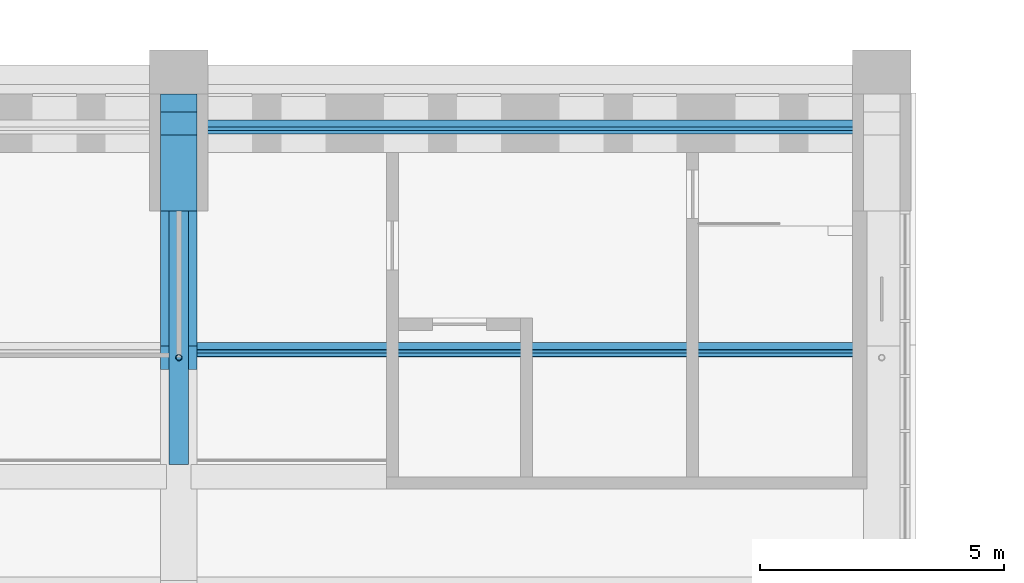
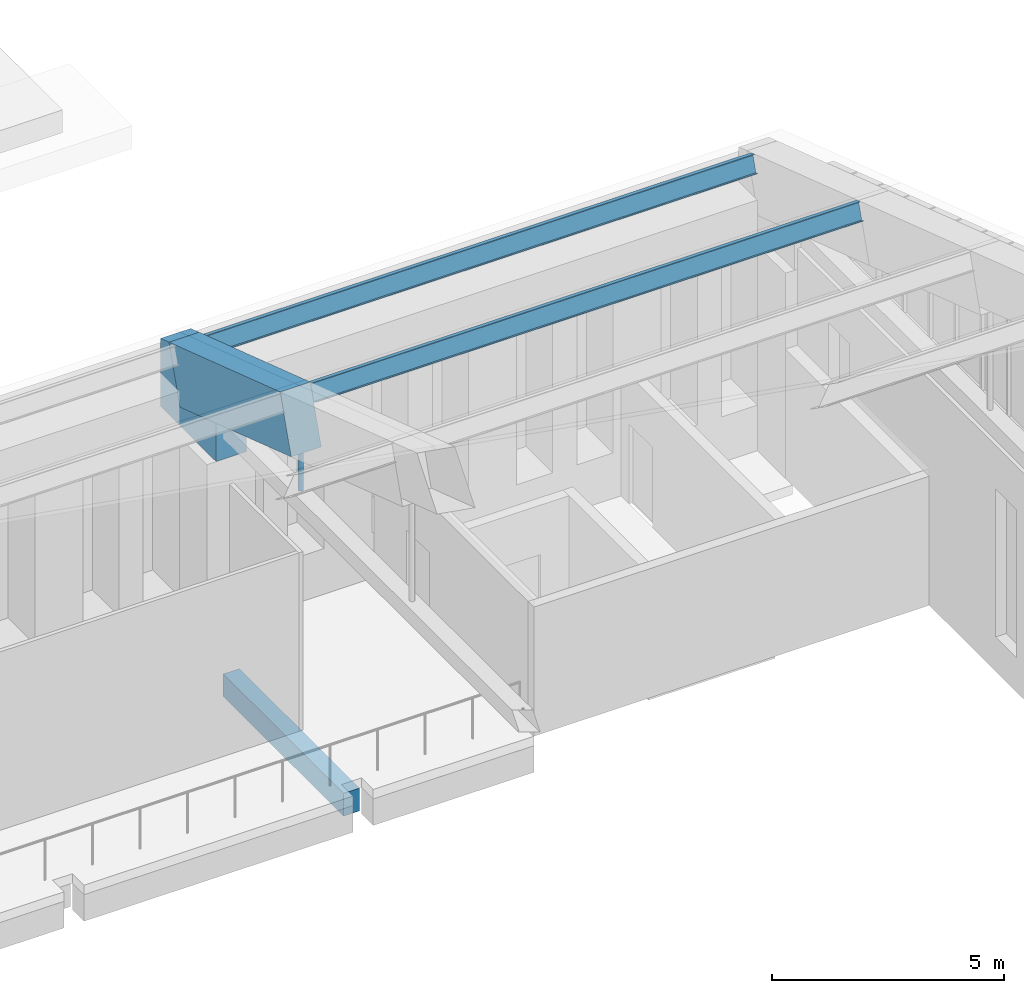
# One storey, part 89 of 149: 4 members, 2 beams.
"""IFC4 building model written with IfcOpenShell, lengths in metres."""

from ifc_helpers import new_model, si_unit, direction, frame, origin, origin_2d, place, context, subcontext, project, spatial, polyline, rectangle, hollow_circle, i_section, outline, extrude, material, material_profile, profile_set, type_object, element, save


model = new_model("IFC4")

# Units and contexts
model_context = context("Model", 3, precision=1e-05, world=origin(), true_north=direction((0.0, 1.0)))
body_context = subcontext(model_context, "Body", "Model", "MODEL_VIEW")
ifc_project = project(units=[si_unit("LENGTHUNIT", "METRE"), si_unit("AREAUNIT", "SQUARE_METRE"), si_unit("VOLUMEUNIT", "CUBIC_METRE"), si_unit("PLANEANGLEUNIT", "RADIAN"), si_unit("MASSUNIT", "GRAM", prefix="KILO")], contexts=[model_context])

# Site, building, storey
site_placement = place(None, origin())
site = spatial("IfcSite", under=ifc_project, at=site_placement, CompositionType="ELEMENT")
building_placement = place(site_placement, origin())
building = spatial("IfcBuilding", under=site, at=building_placement, Name="Alderwick Market Hall", CompositionType="ELEMENT")
storey_placement = place(building_placement, frame((0.0, 0.0, 9.60009765625)))
storey = spatial("IfcBuildingStorey", under=building, at=storey_placement, Name="L01", CompositionType="ELEMENT", Elevation=9.60009765625)

# Beams
ifc_material_1 = material(Name="Concrete 5000 psi (f'c 35 MPa)", Category="concrete")
ifc_material_profile_1 = material_profile(ifc_material_1, rectangle(XDim=0.39990234375, YDim=0.60009765625, at=origin_2d()), Name="RC 400x600")
ifc_profile_set_1 = profile_set([ifc_material_profile_1], Name="Concrete 5000 psi (f'c 35 MPa)")
beam_type_1 = type_object("IfcBeamType", Name="H Gallery beam 400x600", PredefinedType="BEAM", material=ifc_profile_set_1)
beam_1_placement = place(storey_placement, frame((136.800048828125, 106.199951171875, -0.550048828125), z_axis=(0.0, -1.0, 0.0), x_axis=(1.0, 0.0, 0.0)))
element("IfcBeam", 1, at=beam_1_placement, inside=storey, type_object=beam_type_1, Name="Gallery beam N", PredefinedType="BEAM", context=body_context, shape_type="SweptSolid", body=[
    extrude(rectangle(XDim=0.39990234375, YDim=0.60009765625, at=origin_2d()), origin(), (0.0, 0.0, 1.0), 5.18994140625),
])
ifc_material_profile_2 = material_profile(ifc_material_1, rectangle(XDim=0.75, YDim=1.5, at=origin_2d()), Name="RC 750x1500")
ifc_profile_set_2 = profile_set([ifc_material_profile_2], Name="Concrete 5000 psi (f'c 35 MPa)")
beam_type_2 = type_object("IfcBeamType", Name="R Arch Rib Springing 750x1500", PredefinedType="BEAM", material=ifc_profile_set_2)
beam_2_placement = place(storey_placement, frame((136.800048828125, 103.199951171875, 8.199951171875), z_axis=(0.0, 0.948678472761, -0.316242241517), x_axis=(-1.0, 0.0, 0.0)))
element("IfcBeam", 2, at=beam_2_placement, inside=storey, type_object=beam_type_2, Name="Arch rib 7 chord 12", PredefinedType="BEAM", context=body_context, shape_type="SweptSolid", body=[
    extrude(rectangle(XDim=0.75, YDim=1.5, at=origin_2d()), origin(), (0.0, 0.0, 1.0), 5.059814453125),
])

# Members
ifc_material_2 = material(Name="Steel ASTM A500 Grade C", Category="steel")
ifc_material_profile_3 = material_profile(ifc_material_2, hollow_circle(Radius=0.0634765625, WallThickness=0.005859375, at=origin_2d()), Name="HSS5.000x0.250")
ifc_profile_set_3 = profile_set([ifc_material_profile_3], Name="Steel ASTM A500 Grade C")
member_type_1 = type_object("IfcMemberType", Name="R Hanger HSS5.000x0.250", PredefinedType="POST", material=ifc_profile_set_3)
member_1_placement = place(storey_placement, frame((136.800048828125, 103.199951171875, 6.35302734375), z_axis=(0.0, 0.0, 1.0), x_axis=(1.0, 0.0, 0.0)))
element("IfcMember", 3, at=member_1_placement, inside=storey, type_object=member_type_1, Name="Arch hanger 7.11", PredefinedType="POST", context=body_context, shape_type="SweptSolid", body=[
    extrude(hollow_circle(Radius=0.0634765625, WallThickness=0.005859375, at=origin_2d()), origin(), (0.0, 0.0, 1.0), 1.03515625),
])
ifc_material_3 = material(Name="Steel ASTM A992 Grade 50", Category="steel")
ifc_material_profile_4 = material_profile(ifc_material_3, i_section(OverallWidth=0.153076171875, OverallDepth=0.455078125, WebThickness=0.008056640625, FlangeThickness=0.01318359375, at=origin_2d()), Name="W18x40")
ifc_profile_set_4 = profile_set([ifc_material_profile_4], Name="Steel ASTM A992 Grade 50")
member_type_2 = type_object("IfcMemberType", Name="R Purlin W18x40", PredefinedType="PURLIN", material=ifc_profile_set_4)
for number, where, z_axis, x_axis, name in (
    (4, (137.175048828125, 103.36328125, 8.68994140625), (1.0, 0.0, 0.0), (0.0, 0.948683297073, -0.316227768949), "Roof purlin 12.7"),
    (5, (137.175048828125, 107.92626953125, 7.1689453125), (1.0, 0.0, 0.0), (0.0, 0.948683297073, -0.316227768949), "Roof purlin 13.7"),
):
    element("IfcMember", number, at=place(storey_placement, frame(where, z_axis=z_axis, x_axis=x_axis)), inside=storey, type_object=member_type_2, Name=name, PredefinedType="PURLIN", context=body_context, shape_type="SweptSolid", body=[
        extrude(i_section(OverallWidth=0.153076171875, OverallDepth=0.455078125, WebThickness=0.008056640625, FlangeThickness=0.01318359375, at=origin_2d()), origin(), (0.0, 0.0, 1.0), 13.64990234375),
    ])
ifc_material_profile_5 = material_profile(ifc_material_1, outline(polyline([(0.0, 0.0), (-2.39990234375, 0.0), (-2.39990234375, 1.009521484375), (-0.837158203125, 0.488525390625), (-0.36279296875, 1.91162109375), (0.0, 1.79052734375), (0.0, 0.0)])), Name="RC skewback N")
ifc_profile_set_5 = profile_set([ifc_material_profile_5], Name="Concrete 5000 psi (f'c 35 MPa)")
member_type_3 = type_object("IfcMemberType", Name="R Springing Skewback North", PredefinedType="MEMBER", material=ifc_profile_set_5)
member_2_placement = place(storey_placement, frame((136.425048828125, 108.60009765625, 5.39990234375), z_axis=(1.0, 0.0, 0.0), x_axis=(0.0, 1.0, 0.0)))
element("IfcMember", 6, at=member_2_placement, inside=storey, type_object=member_type_3, Name="Springing skewback N7", PredefinedType="MEMBER", context=body_context, shape_type="SweptSolid", body=[
    extrude(outline(polyline([(0.0, 0.0), (-2.39990234375, 0.0), (-2.39990234375, 1.009521484375), (-0.837158203125, 0.488525390625), (-0.36279296875, 1.91162109375), (0.0, 1.79052734375), (0.0, 0.0)])), origin(), (0.0, 0.0, 1.0), 0.75),
])

save(model, "model.ifc")
